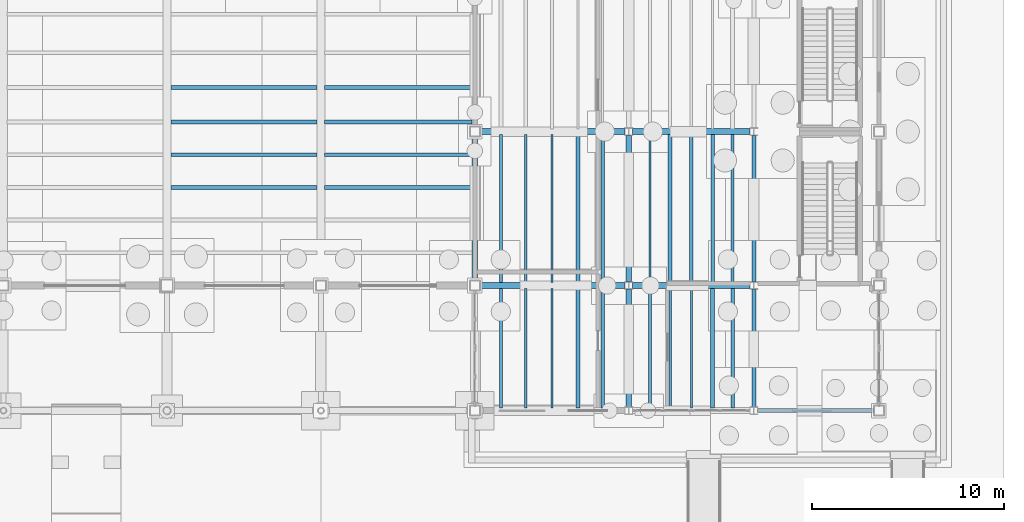
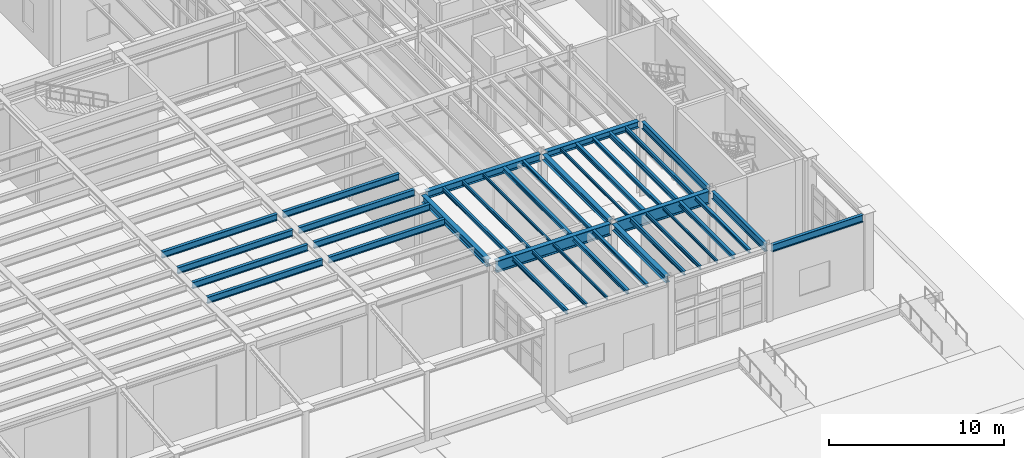
# One storey, part 40 of 86: 38 beams.
"""IFC4 building model written with IfcOpenShell, lengths in metres."""

import ifcopenshell
import ifcopenshell.guid

model = None  # the IFC model being written
_history = None  # IfcOwnerHistory: only IFC2X3 demands one
_inside = {}  # id of a spatial element -> (the spatial element, [elements in it])
_under = {}  # id of a project, library or spatial element -> (it, [spatial elements below it])
_declared = {}  # id of a project -> (the project, [libraries it declares])
_typed = {}  # id of a type object -> (the type object, [elements of that type])
_made_of = {}  # id of a material, layer set ... -> (it, [elements and type objects made of it])


def new_model(schema):
    """Start an empty IFC model of exactly this schema.

    Asked for "IFC4X3", IfcOpenShell would pick the latest addendum, in which some entities
    have other attributes; the version numbers below select the first issue.
    IFC2X3 requires an IfcOwnerHistory on every rooted entity: one is made here for all.
    """
    global model, _history
    if schema == "IFC4X3":
        model = ifcopenshell.file(schema_version=(4, 3, 0, 0))
    else:
        model = ifcopenshell.file(schema=schema)
    _inside.clear()
    _under.clear()
    _declared.clear()
    _typed.clear()
    _made_of.clear()
    _history = None
    if model.schema == "IFC2X3":
        org = make("IfcOrganization", Name="unknown")
        user = make(
            "IfcPersonAndOrganization",
            ThePerson=make("IfcPerson", FamilyName="unknown"),
            TheOrganization=org,
        )
        app = make(
            "IfcApplication",
            ApplicationDeveloper=org,
            Version="unknown",
            ApplicationFullName="unknown",
            ApplicationIdentifier="unknown",
        )
        _history = make(
            "IfcOwnerHistory",
            OwningUser=user,
            OwningApplication=app,
            ChangeAction="ADDED",
            CreationDate=0,
        )
    return model


def make(cls, **values):
    """One entity of the class cls with the attributes given. An attribute that is None is left unset."""
    return model.create_entity(
        cls, **{name: value for name, value in values.items() if value is not None}
    )


def rooted(cls, **values):
    """An entity with a GlobalId (a new one), such as an element, a storey or a relation."""
    return make(cls, GlobalId=ifcopenshell.guid.new(), OwnerHistory=_history, **values)


def si_unit(unit_type, name, prefix=None):
    """IfcSIUnit, for example si_unit("LENGTHUNIT", "METRE", prefix="MILLI")."""
    return make("IfcSIUnit", UnitType=unit_type, Prefix=prefix, Name=name)


def assignment(units):
    """IfcUnitAssignment: the units of a project."""
    return None if units is None else make("IfcUnitAssignment", Units=units)


def point(xyz):
    """IfcCartesianPoint."""
    return None if xyz is None else make("IfcCartesianPoint", Coordinates=xyz)


def direction(xyz):
    """IfcDirection."""
    return None if xyz is None else make("IfcDirection", DirectionRatios=xyz)


def frame(location, z_axis=None, x_axis=None):
    """IfcAxis2Placement3D, a coordinate frame: its origin and axes. An axis left out is left unset."""
    return make(
        "IfcAxis2Placement3D",
        Location=point(location),
        Axis=direction(z_axis),
        RefDirection=direction(x_axis),
    )


def frame_2d(location, x_axis=None):
    """IfcAxis2Placement2D, a coordinate frame in the plane: its origin and x axis."""
    return make(
        "IfcAxis2Placement2D", Location=point(location), RefDirection=direction(x_axis)
    )


def origin():
    """The frame at (0, 0, 0) with its axes left unset."""
    return frame((0.0, 0.0, 0.0))


def origin_2d():
    """The frame at (0, 0) in the plane with its x axis left unset."""
    return frame_2d((0.0, 0.0))


def place(relative_to, where):
    """IfcLocalPlacement: puts the frame where relative to a parent placement (None: the world)."""
    return make(
        "IfcLocalPlacement", PlacementRelTo=relative_to, RelativePlacement=where
    )


def context(
    kind, dimensions, precision=None, world=None, true_north=None, identifier=None
):
    """IfcGeometricRepresentationContext, for example the 3D "Model" context."""
    return make(
        "IfcGeometricRepresentationContext",
        ContextIdentifier=identifier,
        ContextType=kind,
        CoordinateSpaceDimension=dimensions,
        Precision=precision,
        WorldCoordinateSystem=world,
        TrueNorth=true_north,
    )


def subcontext(parent, identifier, kind, view, scale=None):
    """IfcGeometricRepresentationSubContext, for example "Body" below "Model"."""
    return make(
        "IfcGeometricRepresentationSubContext",
        ContextIdentifier=identifier,
        ContextType=kind,
        ParentContext=parent,
        TargetScale=scale,
        TargetView=view,
    )


def project(units=None, contexts=None):
    """IfcProject with its units and contexts."""
    return rooted(
        "IfcProject",
        Name="project",
        RepresentationContexts=contexts,
        UnitsInContext=assignment(units),
    )


def spatial(cls, under=None, at=None, **own):
    """A site, building, storey or space (cls), placed at a placement, below another one or the project."""
    s = rooted(cls, ObjectPlacement=at, **own)
    if under is not None:
        _under.setdefault(under.id(), (under, []))[1].append(s)
    return s


def profile(cls, at=None, kind="AREA", **sizes):
    """A parametric profile (cls). Its sizes go by their IFC names, for example OverallWidth=200.0."""
    return make(cls, ProfileType=kind, Position=at, **sizes)


def i_section(**sizes):
    """IfcIShapeProfileDef."""
    return profile("IfcIShapeProfileDef", **sizes)


def extrude(swept, where, along, depth):
    """IfcExtrudedAreaSolid: the profile swept, set in the frame where, extruded along a direction by depth."""
    return make(
        "IfcExtrudedAreaSolid",
        SweptArea=swept,
        Position=where,
        ExtrudedDirection=direction(along),
        Depth=depth,
    )


def shape(context_of_items, identifier, shape_type, items):
    """IfcShapeRepresentation: the items that make up one representation, for example the "Body"."""
    return make(
        "IfcShapeRepresentation",
        ContextOfItems=context_of_items,
        RepresentationIdentifier=identifier,
        RepresentationType=shape_type,
        Items=items,
    )


def material(Name=None, Category=None):
    """IfcMaterial."""
    return make("IfcMaterial", Name=Name, Category=Category)


def material_profile(
    of_material, cross_section, Name=None, Category=None, Priority=None
):
    """IfcMaterialProfile: a cross section and its material."""
    return make(
        "IfcMaterialProfile",
        Name=Name,
        Material=of_material,
        Profile=cross_section,
        Priority=Priority,
        Category=Category,
    )


def profile_set(profiles, Name=None, composite=None):
    """IfcMaterialProfileSet."""
    return make(
        "IfcMaterialProfileSet",
        Name=Name,
        MaterialProfiles=profiles,
        CompositeProfile=composite,
    )


def made_of(thing, what):
    """Note that an element or type object is made of a material, layer set ...; save() writes the relation."""
    if what is not None:
        _made_of.setdefault(what.id(), (what, []))[1].append(thing)
    return thing


def type_object(cls, material=None, **own):
    """A type object (cls), such as IfcWallType, which elements share."""
    return made_of(rooted(cls, **own), material)


def element(
    cls,
    number,
    at=None,
    inside=None,
    cuts=None,
    type_object=None,
    material=None,
    context=None,
    identifier="Body",
    shape_type=None,
    held_by="IfcProductDefinitionShape",
    body=None,
    shapes=None,
    **own,
):
    """One element of the class cls, such as IfcWall. Its Tag is "e" and its number.

    at: its placement. inside: the storey or other place that contains it. cuts: it is an
    opening in that element (IfcRelVoidsElement). A single representation is given by context,
    identifier, shape_type and body (its items); several are given by shapes. held_by: the class
    of the entity that holds the representations. save() writes the other relations.
    """
    e = rooted(cls, Tag="e%d" % number, ObjectPlacement=at, **own)
    if body is not None:
        shapes = [shape(context, identifier, shape_type, body)]
    if shapes is not None:
        e.Representation = make(held_by, Representations=shapes)
    if inside is not None:
        _inside.setdefault(inside.id(), (inside, []))[1].append(e)
    if cuts is not None:
        rooted(
            "IfcRelVoidsElement", RelatingBuildingElement=cuts, RelatedOpeningElement=e
        )
    if type_object is not None:
        _typed.setdefault(type_object.id(), (type_object, []))[1].append(e)
    return made_of(e, material)


def aggregate(whole, parts):
    """IfcRelAggregates: a whole, such as a stair, and the parts it consists of."""
    return rooted("IfcRelAggregates", RelatingObject=whole, RelatedObjects=parts)


def save(model, path):
    """Write the relations noted so far, then the file.

    IfcRelAggregates (storeys below a building ...), IfcRelContainedInSpatialStructure (elements
    in a storey), IfcRelDefinesByType, IfcRelAssociatesMaterial and IfcRelDeclares: one each for
    every whole, place, type object, material and project.
    """
    for whole, parts in _under.values():
        aggregate(whole, parts)
    for where, things in _inside.values():
        rooted(
            "IfcRelContainedInSpatialStructure",
            RelatedElements=things,
            RelatingStructure=where,
        )
    for kind, things in _typed.values():
        rooted("IfcRelDefinesByType", RelatedObjects=things, RelatingType=kind)
    for what, things in _made_of.values():
        rooted("IfcRelAssociatesMaterial", RelatedObjects=things, RelatingMaterial=what)
    for by, libraries in _declared.values():
        rooted("IfcRelDeclares", RelatingContext=by, RelatedDefinitions=libraries)
    model.write(path)


model = new_model("IFC4")

# Units and contexts
model_context = context("Model", 3, precision=1e-05, world=origin(), true_north=direction((0.0, 1.0)))
body_context = subcontext(model_context, "Body", "Model", "MODEL_VIEW")
ifc_project = project(units=[si_unit("LENGTHUNIT", "METRE"), si_unit("AREAUNIT", "SQUARE_METRE"), si_unit("VOLUMEUNIT", "CUBIC_METRE"), si_unit("PLANEANGLEUNIT", "RADIAN"), si_unit("MASSUNIT", "GRAM", prefix="KILO"), si_unit("THERMODYNAMICTEMPERATUREUNIT", "KELVIN"), si_unit("POWERUNIT", "WATT")], contexts=[model_context])

# Site, building, storey
site_placement = place(None, origin())
site = spatial("IfcSite", under=ifc_project, at=site_placement, CompositionType="ELEMENT")
building_placement = place(site_placement, origin())
building = spatial("IfcBuilding", under=site, at=building_placement, Name="Zhenchuan Central Fire Station", CompositionType="ELEMENT")
storey_placement = place(building_placement, frame((0.0, 0.0, 0.449951171875)))
storey = spatial("IfcBuildingStorey", under=building, at=storey_placement, Name="L01", CompositionType="ELEMENT", Elevation=0.449951171875)

# Beams
ifc_material = material(Name="Steel Q355B", Category="steel")
ifc_material_profile_1 = material_profile(ifc_material, i_section(OverallWidth=0.300048828125, OverallDepth=0.389892578125, WebThickness=0.010009765625, FlangeThickness=0.01611328125, FilletRadius=0.02001953125, at=origin_2d()), Name="HM 390x300")
ifc_profile_set_1 = profile_set([ifc_material_profile_1], Name="Steel Q355B")
beam_type_1 = type_object("IfcBeamType", Name="BM-HM390-INT", PredefinedType="BEAM", material=ifc_profile_set_1)
beam_1_placement = place(storey_placement, frame((148.0, 6.699951171875, 5.005126953125), z_axis=(0.0, 1.0, 0.0), x_axis=(-1.0, 0.0, 0.0)))
element("IfcBeam", 1, at=beam_1_placement, inside=storey, type_object=beam_type_1, Name="L02 Girder NS 0162", PredefinedType="BEAM", context=body_context, shape_type="SweptSolid", body=[
    extrude(i_section(OverallWidth=0.300048828125, OverallDepth=0.389892578125, WebThickness=0.010009765625, FlangeThickness=0.01611328125, FilletRadius=0.02001953125, at=origin_2d()), origin(), (0.0, 0.0, 1.0), 7.60009765625),
])
ifc_material_profile_2 = material_profile(ifc_material, i_section(OverallWidth=0.300048828125, OverallDepth=0.43994140625, WebThickness=0.010986328125, FlangeThickness=0.01806640625, FilletRadius=0.02197265625, at=origin_2d()), Name="HM 440x300")
ifc_profile_set_2 = profile_set([ifc_material_profile_2], Name="Steel Q355B")
beam_type_2 = type_object("IfcBeamType", Name="BM-HM440-INT", PredefinedType="BEAM", material=ifc_profile_set_2)
for number, where, z_axis, x_axis, name in (
    (2, (148.199951171875, 14.5, 4.97998046875), (1.0, 0.0, 0.0), (0.0, 1.0, 0.0), "L02 Girder EW 0035"),
    (3, (148.0, 0.199951171875, 4.97998046875), (0.0, 1.0, 0.0), (-1.0, 0.0, 0.0), "L02 Girder NS 0161"),
):
    element("IfcBeam", number, at=place(storey_placement, frame(where, z_axis=z_axis, x_axis=x_axis)), inside=storey, type_object=beam_type_2, Name=name, PredefinedType="BEAM", context=body_context, shape_type="SweptSolid", body=[
        extrude(i_section(OverallWidth=0.300048828125, OverallDepth=0.43994140625, WebThickness=0.010986328125, FlangeThickness=0.01806640625, FilletRadius=0.02197265625, at=origin_2d()), origin(), (0.0, 0.0, 1.0), 6.10009765625),
    ])
ifc_material_profile_3 = material_profile(ifc_material, i_section(OverallWidth=0.300048828125, OverallDepth=0.5, WebThickness=0.010986328125, FlangeThickness=0.01806640625, FilletRadius=0.02197265625, at=origin_2d()), Name="HM 500x300")
ifc_profile_set_3 = profile_set([ifc_material_profile_3], Name="Steel Q355B")
beam_type_3 = type_object("IfcBeamType", Name="BM-HM500-INT", PredefinedType="BEAM", material=ifc_profile_set_3)
beam_2_placement = place(storey_placement, frame((140.27490234375, 14.5, 4.949951171875), z_axis=(1.0, 0.0, 0.0), x_axis=(0.0, 1.0, 0.0)))
element("IfcBeam", 4, at=beam_2_placement, inside=storey, type_object=beam_type_3, Name="L02 Girder EW 0034", PredefinedType="BEAM", context=body_context, shape_type="SweptSolid", body=[
    extrude(i_section(OverallWidth=0.300048828125, OverallDepth=0.5, WebThickness=0.010986328125, FlangeThickness=0.01806640625, FilletRadius=0.02197265625, at=origin_2d()), origin(), (0.0, 0.0, 1.0), 7.525146484375),
])
beam_3_placement = place(storey_placement, frame((140.0, 6.77490234375, 4.949951171875), z_axis=(0.0, 1.0, 0.0), x_axis=(-1.0, 0.0, 0.0)))
element("IfcBeam", 5, at=beam_3_placement, inside=storey, type_object=beam_type_3, Name="L02 Girder NS 0155", PredefinedType="BEAM", context=body_context, shape_type="SweptSolid", body=[
    extrude(i_section(OverallWidth=0.300048828125, OverallDepth=0.5, WebThickness=0.010986328125, FlangeThickness=0.01806640625, FilletRadius=0.02197265625, at=origin_2d()), origin(), (0.0, 0.0, 1.0), 7.4501953125),
])
ifc_material_profile_4 = material_profile(ifc_material, i_section(OverallWidth=0.199951171875, OverallDepth=0.449951171875, WebThickness=0.009033203125, FlangeThickness=0.013916015625, FilletRadius=0.01806640625, at=origin_2d()), Name="HN 450x200")
ifc_profile_set_4 = profile_set([ifc_material_profile_4], Name="Steel Q355B")
beam_type_4 = type_object("IfcBeamType", Name="BM-HN450", PredefinedType="BEAM", material=ifc_profile_set_4)
for number, where, z_axis, x_axis, name in (
    (6, (124.197021484375, 11.60009765625, 4.97509765625), (1.0, 0.0, 0.0), (0.0, 1.0, 0.0), "Appliance Hall Secondary Floor Joist 0945"),
    (7, (124.197021484375, 13.300048828125, 4.97509765625), (1.0, 0.0, 0.0), (0.0, 1.0, 0.0), "Appliance Hall Secondary Floor Joist 0946"),
    (8, (124.197021484375, 15.0, 4.97509765625), (1.0, 0.0, 0.0), (0.0, 1.0, 0.0), "Appliance Hall Secondary Floor Joist 0947"),
    (9, (124.197021484375, 16.800048828125, 4.97509765625), (1.0, 0.0, 0.0), (0.0, 1.0, 0.0), "Appliance Hall Secondary Floor Joist 0948"),
):
    element("IfcBeam", number, at=place(storey_placement, frame(where, z_axis=z_axis, x_axis=x_axis)), inside=storey, type_object=beam_type_4, Name=name, PredefinedType="BEAM", context=body_context, shape_type="SweptSolid", body=[
        extrude(i_section(OverallWidth=0.199951171875, OverallDepth=0.449951171875, WebThickness=0.009033203125, FlangeThickness=0.013916015625, FilletRadius=0.01806640625, at=origin_2d()), origin(), (0.0, 0.0, 1.0), 7.60595703125),
    ])
for number, where, z_axis, x_axis, name in (
    (10, (132.197021484375, 11.60009765625, 4.97509765625), (1.0, 0.0, 0.0), (0.0, 1.0, 0.0), "Appliance Hall Secondary Floor Joist 0959"),
    (11, (132.197021484375, 13.300048828125, 4.97509765625), (1.0, 0.0, 0.0), (0.0, 1.0, 0.0), "Appliance Hall Secondary Floor Joist 0960"),
    (12, (132.197021484375, 15.0, 4.97509765625), (1.0, 0.0, 0.0), (0.0, 1.0, 0.0), "Appliance Hall Secondary Floor Joist 0961"),
    (13, (132.197021484375, 16.800048828125, 4.97509765625), (1.0, 0.0, 0.0), (0.0, 1.0, 0.0), "Appliance Hall Secondary Floor Joist 0962"),
):
    element("IfcBeam", number, at=place(storey_placement, frame(where, z_axis=z_axis, x_axis=x_axis)), inside=storey, type_object=beam_type_4, Name=name, PredefinedType="BEAM", context=body_context, shape_type="SweptSolid", body=[
        extrude(i_section(OverallWidth=0.199951171875, OverallDepth=0.449951171875, WebThickness=0.009033203125, FlangeThickness=0.013916015625, FilletRadius=0.01806640625, at=origin_2d()), origin(), (0.0, 0.0, 1.0), 7.656005859375),
    ])
ifc_material_profile_5 = material_profile(ifc_material, i_section(OverallWidth=0.199951171875, OverallDepth=0.5, WebThickness=0.010009765625, FlangeThickness=0.01611328125, FilletRadius=0.02001953125, at=origin_2d()), Name="HN 500x200")
ifc_profile_set_5 = profile_set([ifc_material_profile_5], Name="Steel Q355B")
beam_type_5 = type_object("IfcBeamType", Name="BM-HN500-INT", PredefinedType="BEAM", material=ifc_profile_set_5)
beam_4_placement = place(storey_placement, frame((154.5, 6.699951171875, 4.949951171875), z_axis=(0.0, 1.0, 0.0), x_axis=(-1.0, 0.0, 0.0)))
element("IfcBeam", 14, at=beam_4_placement, inside=storey, type_object=beam_type_5, Name="L02 Girder NS 0169", PredefinedType="BEAM", context=body_context, shape_type="SweptSolid", body=[
    extrude(i_section(OverallWidth=0.199951171875, OverallDepth=0.5, WebThickness=0.010009765625, FlangeThickness=0.01611328125, FilletRadius=0.02001953125, at=origin_2d()), origin(), (0.0, 0.0, 1.0), 7.60009765625),
])
ifc_material_profile_6 = material_profile(ifc_material, i_section(OverallWidth=0.199951171875, OverallDepth=0.550048828125, WebThickness=0.010009765625, FlangeThickness=0.01611328125, FilletRadius=0.02001953125, at=origin_2d()), Name="HN 550x200")
ifc_profile_set_6 = profile_set([ifc_material_profile_6], Name="Steel Q355B")
beam_type_6 = type_object("IfcBeamType", Name="BM-HN550-INT", PredefinedType="BEAM", material=ifc_profile_set_6)
beam_5_placement = place(storey_placement, frame((154.5, 0.199951171875, 4.925048828125), z_axis=(0.0, 1.0, 0.0), x_axis=(-1.0, 0.0, 0.0)))
element("IfcBeam", 15, at=beam_5_placement, inside=storey, type_object=beam_type_6, Name="L02 Girder NS 0168", PredefinedType="BEAM", context=body_context, shape_type="SweptSolid", body=[
    extrude(i_section(OverallWidth=0.199951171875, OverallDepth=0.550048828125, WebThickness=0.010009765625, FlangeThickness=0.01611328125, FilletRadius=0.02001953125, at=origin_2d()), origin(), (0.0, 0.0, 1.0), 6.10009765625),
])
ifc_material_profile_7 = material_profile(ifc_material, i_section(OverallWidth=0.300048828125, OverallDepth=0.800048828125, WebThickness=0.013916015625, FlangeThickness=0.02587890625, FilletRadius=0.02587890625, at=origin_2d()), Name="HN 800x300")
ifc_profile_set_7 = profile_set([ifc_material_profile_7], Name="Steel Q355B")
beam_type_7 = type_object("IfcBeamType", Name="BM-HN800", PredefinedType="BEAM", material=ifc_profile_set_7)
beam_6_placement = place(storey_placement, frame((140.27490234375, 6.5, 4.800048828125), z_axis=(1.0, 0.0, 0.0), x_axis=(0.0, 1.0, 0.0)))
element("IfcBeam", 16, at=beam_6_placement, inside=storey, type_object=beam_type_7, Name="L02 Girder EW 0026", PredefinedType="BEAM", context=body_context, shape_type="SweptSolid", body=[
    extrude(i_section(OverallWidth=0.300048828125, OverallDepth=0.800048828125, WebThickness=0.013916015625, FlangeThickness=0.02587890625, FilletRadius=0.02587890625, at=origin_2d()), origin(), (0.0, 0.0, 1.0), 7.525146484375),
])
ifc_material_profile_8 = material_profile(ifc_material, i_section(OverallWidth=0.300048828125, OverallDepth=0.89990234375, WebThickness=0.01611328125, FlangeThickness=0.028076171875, FilletRadius=0.02587890625, at=origin_2d()), Name="HN 900x300")
ifc_profile_set_8 = profile_set([ifc_material_profile_8], Name="Steel Q355B")
beam_type_8 = type_object("IfcBeamType", Name="BM-HN900", PredefinedType="BEAM", material=ifc_profile_set_8)
beam_7_placement = place(storey_placement, frame((148.199951171875, 6.5, 4.75), z_axis=(1.0, 0.0, 0.0), x_axis=(0.0, 1.0, 0.0)))
element("IfcBeam", 17, at=beam_7_placement, inside=storey, type_object=beam_type_8, Name="L02 Girder EW 0027", PredefinedType="BEAM", context=body_context, shape_type="SweptSolid", body=[
    extrude(i_section(OverallWidth=0.300048828125, OverallDepth=0.89990234375, WebThickness=0.01611328125, FlangeThickness=0.028076171875, FilletRadius=0.02587890625, at=origin_2d()), origin(), (0.0, 0.0, 1.0), 6.10009765625),
])
ifc_material_profile_9 = material_profile(ifc_material, i_section(OverallWidth=0.175048828125, OverallDepth=0.243896484375, WebThickness=0.007080078125, FlangeThickness=0.010986328125, FilletRadius=0.012939453125, at=origin_2d()), Name="HM 244x175")
ifc_profile_set_9 = profile_set([ifc_material_profile_9], Name="Steel Q355B")
beam_type_9 = type_object("IfcBeamType", Name="JS-HM244", PredefinedType="JOIST", material=ifc_profile_set_9)
for number, where, z_axis, x_axis, name in (
    (18, (146.639892578125, 0.14697265625, 5.078125), (0.0, 1.0, 0.0), (-1.0, 0.0, 0.0), "L02 Secondary Joist 0030"),
    (19, (153.39501953125, 0.14697265625, 5.078125), (0.0, 1.0, 0.0), (-1.0, 0.0, 0.0), "L02 Secondary Joist 0035"),
):
    element("IfcBeam", number, at=place(storey_placement, frame(where, z_axis=z_axis, x_axis=x_axis)), inside=storey, type_object=beam_type_9, Name=name, PredefinedType="JOIST", context=body_context, shape_type="SweptSolid", body=[
        extrude(i_section(OverallWidth=0.175048828125, OverallDepth=0.243896484375, WebThickness=0.007080078125, FlangeThickness=0.010986328125, FilletRadius=0.012939453125, at=origin_2d()), origin(), (0.0, 0.0, 1.0), 6.2060546875),
    ])
for number, where, z_axis, x_axis, name in (
    (20, (146.639892578125, 6.64697265625, 5.078125), (0.0, 1.0, 0.0), (-1.0, 0.0, 0.0), "L02 Secondary Joist 0063"),
    (21, (151.25, 6.64697265625, 5.078125), (0.0, 1.0, 0.0), (-1.0, 0.0, 0.0), "L02 Secondary Joist 0066"),
):
    element("IfcBeam", number, at=place(storey_placement, frame(where, z_axis=z_axis, x_axis=x_axis)), inside=storey, type_object=beam_type_9, Name=name, PredefinedType="JOIST", context=body_context, shape_type="SweptSolid", body=[
        extrude(i_section(OverallWidth=0.175048828125, OverallDepth=0.243896484375, WebThickness=0.007080078125, FlangeThickness=0.010986328125, FilletRadius=0.012939453125, at=origin_2d()), origin(), (0.0, 0.0, 1.0), 7.7060546875),
    ])
ifc_material_profile_10 = material_profile(ifc_material, i_section(OverallWidth=0.199951171875, OverallDepth=0.2939453125, WebThickness=0.008056640625, FlangeThickness=0.011962890625, FilletRadius=0.01611328125, at=origin_2d()), Name="HM 294x200")
ifc_profile_set_10 = profile_set([ifc_material_profile_10], Name="Steel Q355B")
beam_type_10 = type_object("IfcBeamType", Name="JS-HM294", PredefinedType="JOIST", material=ifc_profile_set_10)
for number, where, z_axis, x_axis, name in (
    (22, (145.360107421875, 0.14697265625, 5.052978515625), (0.0, 1.0, 0.0), (-1.0, 0.0, 0.0), "L02 Secondary Joist 0029"),
    (23, (152.35498046875, 0.14697265625, 5.052978515625), (0.0, 1.0, 0.0), (-1.0, 0.0, 0.0), "L02 Secondary Joist 0034"),
):
    element("IfcBeam", number, at=place(storey_placement, frame(where, z_axis=z_axis, x_axis=x_axis)), inside=storey, type_object=beam_type_10, Name=name, PredefinedType="JOIST", context=body_context, shape_type="SweptSolid", body=[
        extrude(i_section(OverallWidth=0.199951171875, OverallDepth=0.2939453125, WebThickness=0.008056640625, FlangeThickness=0.011962890625, FilletRadius=0.01611328125, at=origin_2d()), origin(), (0.0, 0.0, 1.0), 6.2060546875),
    ])
for number, where, z_axis, x_axis, name in (
    (24, (145.360107421875, 6.64697265625, 5.052978515625), (0.0, 1.0, 0.0), (-1.0, 0.0, 0.0), "L02 Secondary Joist 0062"),
    (25, (150.14501953125, 6.64697265625, 5.052978515625), (0.0, 1.0, 0.0), (-1.0, 0.0, 0.0), "L02 Secondary Joist 0065"),
):
    element("IfcBeam", number, at=place(storey_placement, frame(where, z_axis=z_axis, x_axis=x_axis)), inside=storey, type_object=beam_type_10, Name=name, PredefinedType="JOIST", context=body_context, shape_type="SweptSolid", body=[
        extrude(i_section(OverallWidth=0.199951171875, OverallDepth=0.2939453125, WebThickness=0.008056640625, FlangeThickness=0.011962890625, FilletRadius=0.01611328125, at=origin_2d()), origin(), (0.0, 0.0, 1.0), 7.7060546875),
    ])
ifc_material_profile_11 = material_profile(ifc_material, i_section(OverallWidth=0.10009765625, OverallDepth=0.199951171875, WebThickness=0.005615234375, FlangeThickness=0.008056640625, FilletRadius=0.010986328125, at=origin_2d()), Name="HN 200x100")
ifc_profile_set_11 = profile_set([ifc_material_profile_11], Name="Steel Q355B")
beam_type_11 = type_object("IfcBeamType", Name="JS-HN200", PredefinedType="JOIST", material=ifc_profile_set_11)
for number, where, z_axis, x_axis, name in (
    (26, (144.0, 0.14697265625, 5.10009765625), (0.0, 1.0, 0.0), (-1.0, 0.0, 0.0), "L02 Secondary Joist 0028"),
    (27, (151.25, 0.14697265625, 5.10009765625), (0.0, 1.0, 0.0), (-1.0, 0.0, 0.0), "L02 Secondary Joist 0033"),
):
    element("IfcBeam", number, at=place(storey_placement, frame(where, z_axis=z_axis, x_axis=x_axis)), inside=storey, type_object=beam_type_11, Name=name, PredefinedType="JOIST", context=body_context, shape_type="SweptSolid", body=[
        extrude(i_section(OverallWidth=0.10009765625, OverallDepth=0.199951171875, WebThickness=0.005615234375, FlangeThickness=0.008056640625, FilletRadius=0.010986328125, at=origin_2d()), origin(), (0.0, 0.0, 1.0), 6.2060546875),
    ])
for number, where, z_axis, x_axis, name in (
    (28, (144.0, 6.64697265625, 5.10009765625), (0.0, 1.0, 0.0), (-1.0, 0.0, 0.0), "L02 Secondary Joist 0061"),
    (29, (149.10498046875, 6.64697265625, 5.10009765625), (0.0, 1.0, 0.0), (-1.0, 0.0, 0.0), "L02 Secondary Joist 0064"),
):
    element("IfcBeam", number, at=place(storey_placement, frame(where, z_axis=z_axis, x_axis=x_axis)), inside=storey, type_object=beam_type_11, Name=name, PredefinedType="JOIST", context=body_context, shape_type="SweptSolid", body=[
        extrude(i_section(OverallWidth=0.10009765625, OverallDepth=0.199951171875, WebThickness=0.005615234375, FlangeThickness=0.008056640625, FilletRadius=0.010986328125, at=origin_2d()), origin(), (0.0, 0.0, 1.0), 7.7060546875),
    ])
ifc_material_profile_12 = material_profile(ifc_material, i_section(OverallWidth=0.125, OverallDepth=0.25, WebThickness=0.006103515625, FlangeThickness=0.009033203125, FilletRadius=0.011962890625, at=origin_2d()), Name="HN 250x125")
ifc_profile_set_12 = profile_set([ifc_material_profile_12], Name="Steel Q355B")
beam_type_12 = type_object("IfcBeamType", Name="JS-HN250", PredefinedType="JOIST", material=ifc_profile_set_12)
for number, where, z_axis, x_axis, name in (
    (30, (142.639892578125, 0.14697265625, 5.074951171875), (0.0, 1.0, 0.0), (-1.0, 0.0, 0.0), "L02 Secondary Joist 0027"),
    (31, (150.14501953125, 0.14697265625, 5.074951171875), (0.0, 1.0, 0.0), (-1.0, 0.0, 0.0), "L02 Secondary Joist 0032"),
):
    element("IfcBeam", number, at=place(storey_placement, frame(where, z_axis=z_axis, x_axis=x_axis)), inside=storey, type_object=beam_type_12, Name=name, PredefinedType="JOIST", context=body_context, shape_type="SweptSolid", body=[
        extrude(i_section(OverallWidth=0.125, OverallDepth=0.25, WebThickness=0.006103515625, FlangeThickness=0.009033203125, FilletRadius=0.011962890625, at=origin_2d()), origin(), (0.0, 0.0, 1.0), 6.2060546875),
    ])
beam_8_placement = place(storey_placement, frame((142.639892578125, 6.64697265625, 5.074951171875), z_axis=(0.0, 1.0, 0.0), x_axis=(-1.0, 0.0, 0.0)))
element("IfcBeam", 32, at=beam_8_placement, inside=storey, type_object=beam_type_12, Name="L02 Secondary Joist 0060", PredefinedType="JOIST", context=body_context, shape_type="SweptSolid", body=[
    extrude(i_section(OverallWidth=0.125, OverallDepth=0.25, WebThickness=0.006103515625, FlangeThickness=0.009033203125, FilletRadius=0.011962890625, at=origin_2d()), origin(), (0.0, 0.0, 1.0), 7.7060546875),
])
ifc_material_profile_13 = material_profile(ifc_material, i_section(OverallWidth=0.14990234375, OverallDepth=0.300048828125, WebThickness=0.006591796875, FlangeThickness=0.009033203125, FilletRadius=0.012939453125, at=origin_2d()), Name="HN 300x150")
ifc_profile_set_13 = profile_set([ifc_material_profile_13], Name="Steel Q355B")
beam_type_13 = type_object("IfcBeamType", Name="JS-HN300", PredefinedType="JOIST", material=ifc_profile_set_13)
for number, where, z_axis, x_axis, name in (
    (33, (141.360107421875, 0.14697265625, 5.050048828125), (0.0, 1.0, 0.0), (-1.0, 0.0, 0.0), "L02 Secondary Joist 0026"),
    (34, (149.10498046875, 0.14697265625, 5.050048828125), (0.0, 1.0, 0.0), (-1.0, 0.0, 0.0), "L02 Secondary Joist 0031"),
):
    element("IfcBeam", number, at=place(storey_placement, frame(where, z_axis=z_axis, x_axis=x_axis)), inside=storey, type_object=beam_type_13, Name=name, PredefinedType="JOIST", context=body_context, shape_type="SweptSolid", body=[
        extrude(i_section(OverallWidth=0.14990234375, OverallDepth=0.300048828125, WebThickness=0.006591796875, FlangeThickness=0.009033203125, FilletRadius=0.012939453125, at=origin_2d()), origin(), (0.0, 0.0, 1.0), 6.2060546875),
    ])
for number, where, z_axis, x_axis, name in (
    (35, (141.360107421875, 6.64697265625, 5.050048828125), (0.0, 1.0, 0.0), (-1.0, 0.0, 0.0), "L02 Secondary Joist 0059"),
    (36, (153.39501953125, 6.64697265625, 5.050048828125), (0.0, 1.0, 0.0), (-1.0, 0.0, 0.0), "L02 Secondary Joist 0068"),
):
    element("IfcBeam", number, at=place(storey_placement, frame(where, z_axis=z_axis, x_axis=x_axis)), inside=storey, type_object=beam_type_13, Name=name, PredefinedType="JOIST", context=body_context, shape_type="SweptSolid", body=[
        extrude(i_section(OverallWidth=0.14990234375, OverallDepth=0.300048828125, WebThickness=0.006591796875, FlangeThickness=0.009033203125, FilletRadius=0.012939453125, at=origin_2d()), origin(), (0.0, 0.0, 1.0), 7.7060546875),
    ])
ifc_material_profile_14 = material_profile(ifc_material, i_section(OverallWidth=0.175048828125, OverallDepth=0.35009765625, WebThickness=0.007080078125, FlangeThickness=0.010986328125, FilletRadius=0.013916015625, at=origin_2d()), Name="HN 350x175")
ifc_profile_set_14 = profile_set([ifc_material_profile_14], Name="Steel Q355B")
beam_type_14 = type_object("IfcBeamType", Name="JS-HN350", PredefinedType="JOIST", material=ifc_profile_set_14)
beam_9_placement = place(storey_placement, frame((152.35498046875, 6.64697265625, 5.025146484375), z_axis=(0.0, 1.0, 0.0), x_axis=(-1.0, 0.0, 0.0)))
element("IfcBeam", 37, at=beam_9_placement, inside=storey, type_object=beam_type_14, Name="L02 Secondary Joist 0067", PredefinedType="JOIST", context=body_context, shape_type="SweptSolid", body=[
    extrude(i_section(OverallWidth=0.175048828125, OverallDepth=0.35009765625, WebThickness=0.007080078125, FlangeThickness=0.010986328125, FilletRadius=0.013916015625, at=origin_2d()), origin(), (0.0, 0.0, 1.0), 7.7060546875),
])
ifc_material_profile_15 = material_profile(ifc_material, i_section(OverallWidth=0.199951171875, OverallDepth=0.5, WebThickness=0.010009765625, FlangeThickness=0.01611328125, FilletRadius=0.02001953125, at=origin_2d()), Name="HN 500x200")
ifc_profile_set_15 = profile_set([ifc_material_profile_15], Name="Steel Q355B")
beam_type_15 = type_object("IfcBeamType", Name="SP-HN500", PredefinedType="SPANDREL", material=ifc_profile_set_15)
beam_10_placement = place(storey_placement, frame((154.699951171875, 0.0, 4.949951171875), z_axis=(1.0, 0.0, 0.0), x_axis=(0.0, 1.0, 0.0)))
element("IfcBeam", 38, at=beam_10_placement, inside=storey, type_object=beam_type_15, Name="L02 Girder EW 0009", PredefinedType="SPANDREL", context=body_context, shape_type="SweptSolid", body=[
    extrude(i_section(OverallWidth=0.199951171875, OverallDepth=0.5, WebThickness=0.010009765625, FlangeThickness=0.01611328125, FilletRadius=0.02001953125, at=origin_2d()), origin(), (0.0, 0.0, 1.0), 6.025146484375),
])

save(model, "model.ifc")
